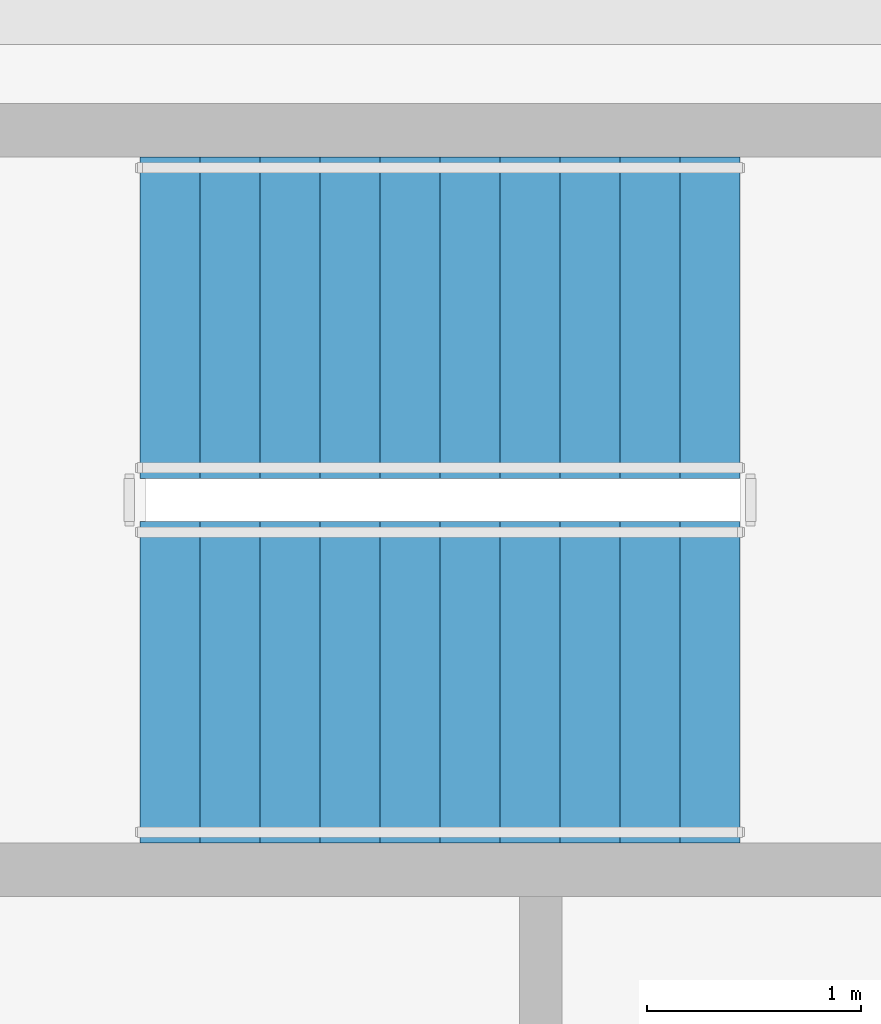
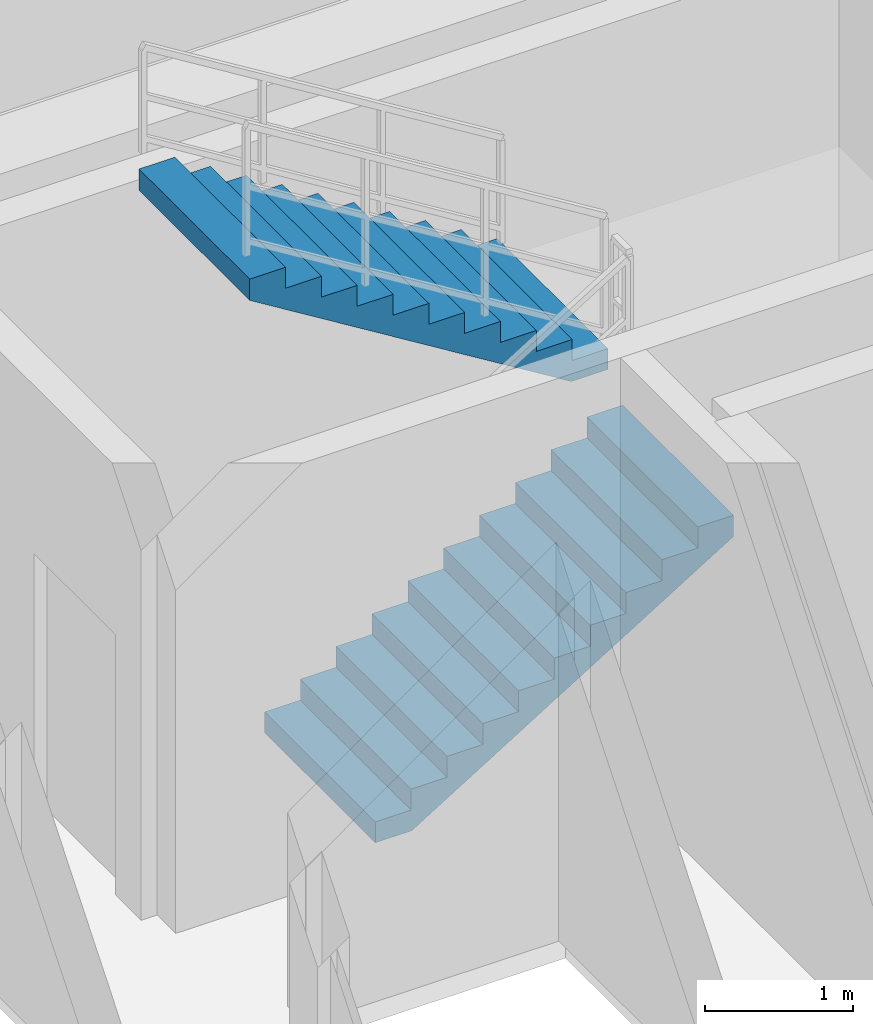
# One storey, part 6 of 8: 2 stair flights, 1 element without a shape of its own.
"""IFC4 building model written with IfcOpenShell, lengths in metres."""

from ifc_helpers import new_model, si_unit, direction, frame, origin, place, context, subcontext, project, spatial, polyline, outline, extrude, material, type_object, element, aggregate, save


model = new_model("IFC4")

# Units and contexts
model_context = context("Model", 3, precision=1e-05, world=origin(), true_north=direction((0.0, 1.0)))
body_context = subcontext(model_context, "Body", "Model", "MODEL_VIEW")
ifc_project = project(units=[si_unit("LENGTHUNIT", "METRE"), si_unit("AREAUNIT", "SQUARE_METRE"), si_unit("VOLUMEUNIT", "CUBIC_METRE"), si_unit("PLANEANGLEUNIT", "RADIAN"), si_unit("MASSUNIT", "GRAM", prefix="KILO")], contexts=[model_context])

# Site, building, storey
site_placement = place(None, origin())
site = spatial("IfcSite", under=ifc_project, at=site_placement, CompositionType="ELEMENT")
building_placement = place(site_placement, origin())
building = spatial("IfcBuilding", under=site, at=building_placement, Name="Zulverin Broadcast Headquarters", CompositionType="ELEMENT")
storey_placement = place(building_placement, frame((0.0, 0.0, 297.199951171875)))
storey = spatial("IfcBuildingStorey", under=building, at=storey_placement, Name="L76", CompositionType="ELEMENT", Elevation=297.199951171875)

# Stair, stair flights
ifc_material = material(Name="Concrete C40/50", Category="concrete")
stair_type = type_object("IfcStairType", Name="ST-CORE-1500", PredefinedType="HALF_TURN_STAIR", material=ifc_material)
stair_placement = place(storey_placement, origin())
stair = element("IfcStair", 1, at=stair_placement, inside=storey, type_object=stair_type, Name="L76 Core Exit Stair ST-1", PredefinedType="HALF_TURN_STAIR")
stair_flight_type = type_object("IfcStairFlightType", Name="SF-CORE-1500", PredefinedType="STRAIGHT", material=ifc_material)
stair_flight_1_placement = place(storey_placement, frame((40.1298828125, 29.800048828125, 0.0), z_axis=(0.0, 0.0, 1.0), x_axis=(1.0, 0.0, 0.0)))
stair_flight_1 = element("IfcStairFlight", 2, at=stair_flight_1_placement, type_object=stair_flight_type, Name="ST-1 flight 1", NumberOfRisers=11, NumberOfTreads=10, PredefinedType="STRAIGHT", RiserHeight=0.172727273, TreadLength=0.28, context=body_context, shape_type="SweptSolid", body=[
    extrude(outline(polyline([(0.0, 0.0), (0.0, 0.172607421875), (0.280029296875, 0.172607421875), (0.280029296875, 0.345458984375), (0.56005859375, 0.345458984375), (0.56005859375, 0.51806640625), (0.840087890625, 0.51806640625), (0.840087890625, 0.69091796875), (1.1201171875, 0.69091796875), (1.1201171875, 0.863525390625), (1.39990234375, 0.863525390625), (1.39990234375, 1.036376953125), (1.679931640625, 1.036376953125), (1.679931640625, 1.208984375), (1.9599609375, 1.208984375), (1.9599609375, 1.3818359375), (2.239990234375, 1.3818359375), (2.239990234375, 1.554443359375), (2.52001953125, 1.554443359375), (2.52001953125, 1.727294921875), (2.800048828125, 1.727294921875), (2.800048828125, 1.89990234375), (2.800048828125, 1.551025390625), (0.285400390625, 0.0), (0.0, 0.0)])), frame((0.0, 0.75, 0.0), z_axis=(0.0, -1.0, 0.0), x_axis=(1.0, 0.0, 0.0)), (0.0, 0.0, 1.0), 1.5),
])
stair_flight_2_placement = place(storey_placement, frame((42.929931640625, 31.5, 1.900146484375), z_axis=(0.0, 0.0, 1.0), x_axis=(-1.0, 0.0, 0.0)))
stair_flight_2 = element("IfcStairFlight", 3, at=stair_flight_2_placement, type_object=stair_flight_type, Name="ST-1 flight 2", NumberOfRisers=11, NumberOfTreads=10, PredefinedType="STRAIGHT", RiserHeight=0.172727273, TreadLength=0.28, context=body_context, shape_type="SweptSolid", body=[
    extrude(outline(polyline([(0.0, 0.0), (0.0, 0.172607421875), (0.280029296875, 0.172607421875), (0.280029296875, 0.345458984375), (0.56005859375, 0.345458984375), (0.56005859375, 0.51806640625), (0.840087890625, 0.51806640625), (0.840087890625, 0.69091796875), (1.1201171875, 0.69091796875), (1.1201171875, 0.863525390625), (1.39990234375, 0.863525390625), (1.39990234375, 1.036376953125), (1.679931640625, 1.036376953125), (1.679931640625, 1.208984375), (1.9599609375, 1.208984375), (1.9599609375, 1.3818359375), (2.239990234375, 1.3818359375), (2.239990234375, 1.554443359375), (2.52001953125, 1.554443359375), (2.52001953125, 1.727294921875), (2.800048828125, 1.727294921875), (2.800048828125, 1.89990234375), (2.800048828125, 1.551025390625), (0.285400390625, 0.0), (0.0, 0.0)])), frame((0.0, 0.75, 0.0), z_axis=(0.0, -1.0, 0.0), x_axis=(1.0, 0.0, 0.0)), (0.0, 0.0, 1.0), 1.5),
])
aggregate(stair, [stair_flight_1, stair_flight_2])

save(model, "model.ifc")
